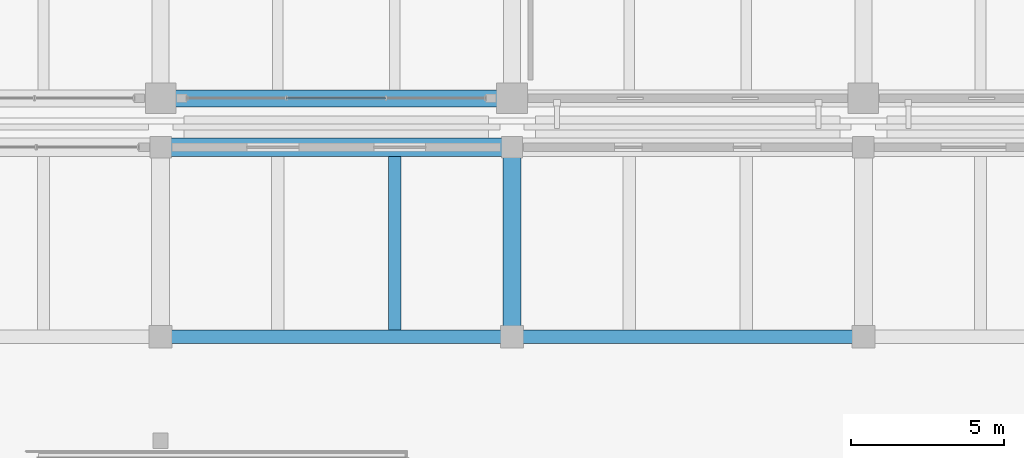
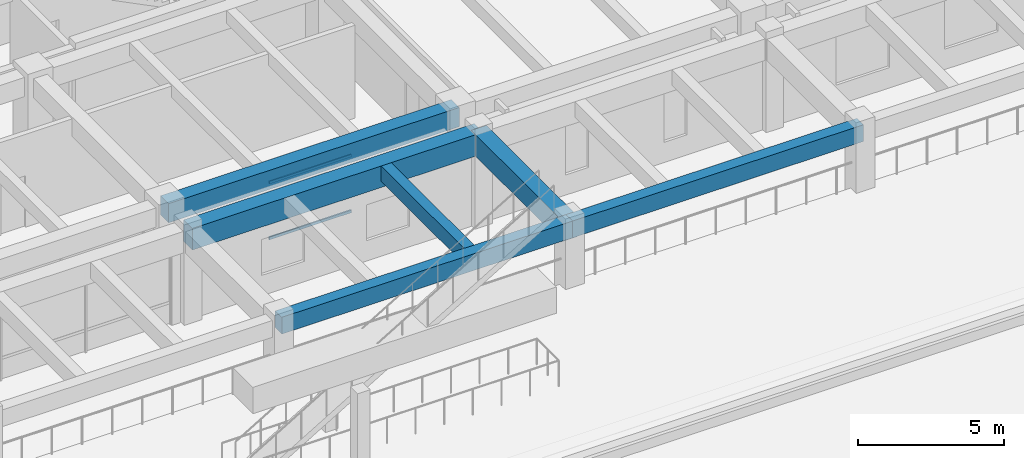
# One storey, part 65 of 109: 6 beams, 2 members, 1 element without a shape of its own.
"""IFC4 building model written with IfcOpenShell, lengths in metres."""

from ifc_helpers import new_model, si_unit, direction, frame, origin, origin_2d, place, context, subcontext, project, spatial, rectangle, hollow_rectangle, extrude, material, material_profile, profile_set, type_object, element, aggregate, save


model = new_model("IFC4")

# Units and contexts
model_context = context("Model", 3, precision=1e-05, world=origin(), true_north=direction((0.0, 1.0)))
body_context = subcontext(model_context, "Body", "Model", "MODEL_VIEW")
ifc_project = project(units=[si_unit("LENGTHUNIT", "METRE"), si_unit("AREAUNIT", "SQUARE_METRE"), si_unit("VOLUMEUNIT", "CUBIC_METRE"), si_unit("PLANEANGLEUNIT", "RADIAN"), si_unit("MASSUNIT", "GRAM", prefix="KILO")], contexts=[model_context])

# Site, building, storey
site_placement = place(None, origin())
site = spatial("IfcSite", under=ifc_project, at=site_placement, CompositionType="ELEMENT")
building_placement = place(site_placement, origin())
building = spatial("IfcBuilding", under=site, at=building_placement, Name="Ologun Quay Terminus", CompositionType="ELEMENT")
storey_placement = place(building_placement, origin())
storey = spatial("IfcBuildingStorey", under=building, at=storey_placement, Name="L00", CompositionType="ELEMENT", Elevation=0.0)

# Curtain wall, members
ifc_material_1 = material(Name="Aluminium 6063-T6", Category="aluminium")
curtain_wall_type = type_object("IfcCurtainWallType", Name="Waterfront Pavilion Harbour Curtain Wall L00 10500x3750", PredefinedType="USERDEFINED", material=ifc_material_1)
curtain_wall_placement = place(storey_placement, origin())
curtain_wall = element("IfcCurtainWall", 1, at=curtain_wall_placement, inside=storey, type_object=curtain_wall_type, Name="CW-22 Curtain Wall CW-L00-119", ObjectType="UNITISED CURTAIN WALL", PredefinedType="USERDEFINED")
ifc_material_2 = material(Name="Aluminium 6063-T6", Category="aluminium")
ifc_material_profile_1 = material_profile(ifc_material_2, hollow_rectangle(XDim=0.054931640625, YDim=0.110107421875, WallThickness=0.00390625, at=origin_2d()), Name="ALU 110x55x4")
ifc_profile_set_1 = profile_set([ifc_material_profile_1], Name="Aluminium 6063-T6")
member_type = type_object("IfcMemberType", Name="Courtyard Screen Transom 110x55", PredefinedType="USERDEFINED", material=ifc_profile_set_1)
member_1_placement = place(storey_placement, frame((142.123291015625, 85.800048828125, 0.89990234375), z_axis=(1.0, 0.0, 0.0), x_axis=(0.0, 1.0, 0.0)))
member_1 = element("IfcMember", 2, at=member_1_placement, type_object=member_type, Name="CW-L00-119 Transom B2-1", ObjectType="TRANSOM", PredefinedType="USERDEFINED", context=body_context, shape_type="SweptSolid", body=[
    extrude(hollow_rectangle(XDim=0.054931640625, YDim=0.110107421875, WallThickness=0.00390625, at=origin_2d()), origin(), (0.0, 0.0, 1.0), 3.25341796875),
])
member_2_placement = place(storey_placement, frame((142.123291015625, 85.800048828125, 3.22998046875), z_axis=(1.0, 0.0, 0.0), x_axis=(0.0, 1.0, 0.0)))
member_2 = element("IfcMember", 3, at=member_2_placement, type_object=member_type, Name="CW-L00-119 Transom B2-2", ObjectType="TRANSOM", PredefinedType="USERDEFINED", context=body_context, shape_type="SweptSolid", body=[
    extrude(hollow_rectangle(XDim=0.054931640625, YDim=0.110107421875, WallThickness=0.00390625, at=origin_2d()), origin(), (0.0, 0.0, 1.0), 3.25341796875),
])
aggregate(curtain_wall, [member_1, member_2])

# Beams
ifc_material_3 = material(Name="Concrete C40/50", Category="concrete")
ifc_material_profile_2 = material_profile(ifc_material_3, rectangle(XDim=0.550048828125, YDim=0.800048828125, at=origin_2d()), Name="RC 550x800")
ifc_profile_set_2 = profile_set([ifc_material_profile_2], Name="Concrete C40/50")
beam_type_1 = type_object("IfcBeamType", Name="Courtyard Wing Primary Girder 550x800", PredefinedType="BEAM", material=ifc_profile_set_2)
beam_1_placement = place(storey_placement, frame((138.0, 85.800048828125, 3.550048828125), z_axis=(1.0, 0.0, 0.0), x_axis=(0.0, 1.0, 0.0)))
element("IfcBeam", 4, at=beam_1_placement, inside=storey, type_object=beam_type_1, Name="B4 Beam 13/G2 L00", PredefinedType="BEAM", context=body_context, shape_type="SweptSolid", body=[
    extrude(rectangle(XDim=0.550048828125, YDim=0.800048828125, at=origin_2d()), origin(), (0.0, 0.0, 1.0), 11.5),
])
ifc_material_4 = material(Name="Concrete C40/50", Category="concrete")
ifc_material_profile_3 = material_profile(ifc_material_4, rectangle(XDim=0.449951171875, YDim=0.699951171875, at=origin_2d()), Name="RC 450x700")
ifc_profile_set_3 = profile_set([ifc_material_profile_3], Name="Concrete C40/50")
beam_type_2 = type_object("IfcBeamType", Name="Perimeter Spandrel Beam 450x700", PredefinedType="SPANDREL", material=ifc_profile_set_3)
for number, where, z_axis, x_axis, name in (
    (5, (138.0, 78.0, 3.550048828125), (1.0, 0.0, 0.0), (0.0, 1.0, 0.0), "SP1 Beam 13/F L00"),
    (6, (149.5, 78.0, 3.550048828125), (1.0, 0.0, 0.0), (0.0, 1.0, 0.0), "SP1 Beam 14/F L00"),
):
    element("IfcBeam", number, at=place(storey_placement, frame(where, z_axis=z_axis, x_axis=x_axis)), inside=storey, type_object=beam_type_2, Name=name, PredefinedType="SPANDREL", context=body_context, shape_type="SweptSolid", body=[
        extrude(rectangle(XDim=0.449951171875, YDim=0.699951171875, at=origin_2d()), origin(), (0.0, 0.0, 1.0), 11.5),
    ])
ifc_material_5 = material(Name="Concrete C40/50", Category="concrete")
ifc_material_profile_4 = material_profile(ifc_material_5, rectangle(XDim=0.60009765625, YDim=0.89990234375, at=origin_2d()), Name="RC 600x900")
ifc_profile_set_4 = profile_set([ifc_material_profile_4], Name="Concrete C40/50")
beam_type_3 = type_object("IfcBeamType", Name="Station Frame Girder 600x900", PredefinedType="BEAM", material=ifc_profile_set_4)
beam_2_placement = place(storey_placement, frame((138.0, 84.199951171875, 3.449951171875), z_axis=(1.0, 0.0, 0.0), x_axis=(0.0, 1.0, 0.0)))
element("IfcBeam", 7, at=beam_2_placement, inside=storey, type_object=beam_type_3, Name="B3 Beam 13/G1 L00", PredefinedType="BEAM", context=body_context, shape_type="SweptSolid", body=[
    extrude(rectangle(XDim=0.60009765625, YDim=0.89990234375, at=origin_2d()), origin(), (0.0, 0.0, 1.0), 11.5),
])
beam_3_placement = place(storey_placement, frame((149.5, 78.0, 3.449951171875), z_axis=(0.0, 1.0, 0.0), x_axis=(-1.0, 0.0, 0.0)))
element("IfcBeam", 8, at=beam_3_placement, inside=storey, type_object=beam_type_3, Name="B3 Beam 14/F L00", PredefinedType="BEAM", context=body_context, shape_type="SweptSolid", body=[
    extrude(rectangle(XDim=0.60009765625, YDim=0.89990234375, at=origin_2d()), origin(), (0.0, 0.0, 1.0), 6.199951171875),
])
ifc_material_6 = material(Name="Concrete C40/50", Category="concrete")
ifc_material_profile_5 = material_profile(ifc_material_6, rectangle(XDim=0.39990234375, YDim=0.64990234375, at=origin_2d()), Name="RC 400x650")
ifc_profile_set_5 = profile_set([ifc_material_profile_5], Name="Concrete C40/50")
beam_type_4 = type_object("IfcBeamType", Name="Station Secondary Joist 400x650", PredefinedType="JOIST", material=ifc_profile_set_5)
beam_4_placement = place(storey_placement, frame((145.666748046875, 78.22509765625, 3.574951171875), z_axis=(0.0, 1.0, 0.0), x_axis=(-1.0, 0.0, 0.0)))
element("IfcBeam", 9, at=beam_4_placement, inside=storey, type_object=beam_type_4, Name="J1 Beam 13/F L00", PredefinedType="JOIST", context=body_context, shape_type="SweptSolid", body=[
    extrude(rectangle(XDim=0.39990234375, YDim=0.64990234375, at=origin_2d()), origin(), (0.0, 0.0, 1.0), 5.6748046875),
])

save(model, "model.ifc")
